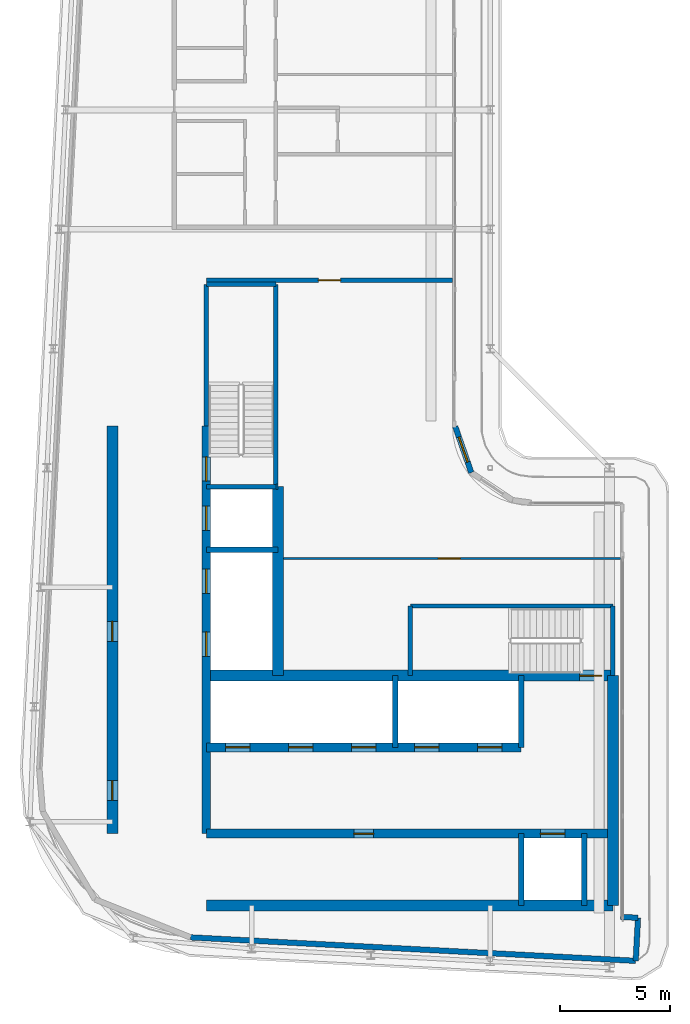
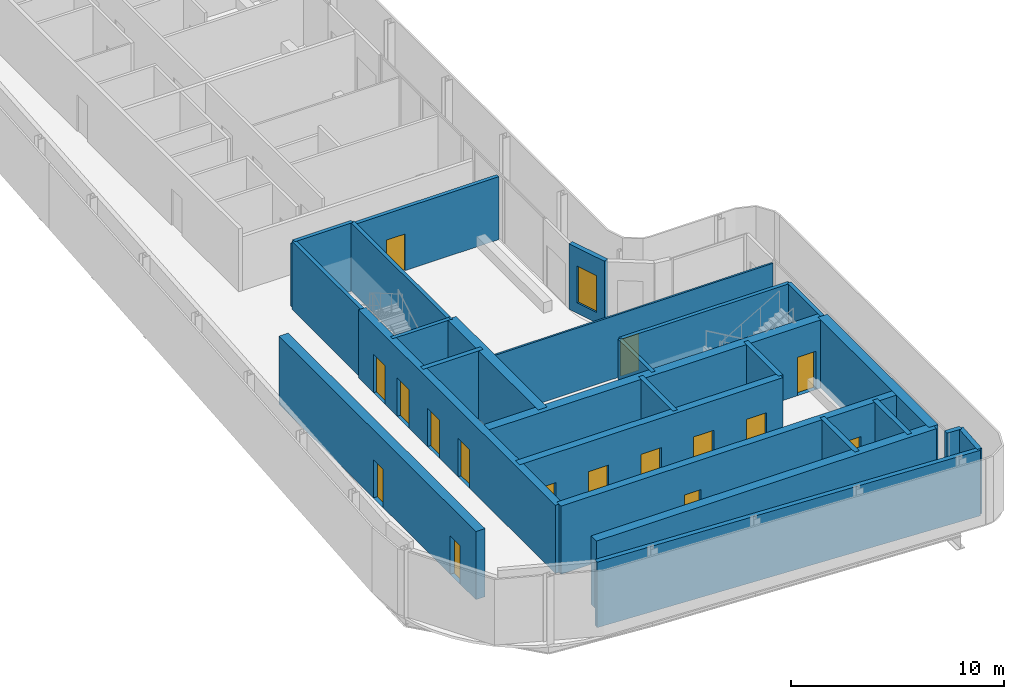
# One storey, part 9 of 18: 27 walls, 16 doors, 1 window, 17 openings.
"""IFC4 building model written with IfcOpenShell, lengths in metres."""

from ifc_helpers import new_model, si_unit, direction, frame, frame_2d, origin, place, context, subcontext, project, spatial, rectangle, extrude, source, transform, mapped, material, layer, layer_set, type_object, element, fill, save


model = new_model("IFC4")

# Units and contexts
model_context = context("Model", 3, precision=1e-05, world=origin(), true_north=direction((0.0, 1.0)))
body_context = subcontext(model_context, "Body", "Model", "MODEL_VIEW")
ifc_project = project(units=[si_unit("LENGTHUNIT", "METRE"), si_unit("AREAUNIT", "SQUARE_METRE"), si_unit("VOLUMEUNIT", "CUBIC_METRE"), si_unit("PLANEANGLEUNIT", "RADIAN"), si_unit("MASSUNIT", "GRAM", prefix="KILO")], contexts=[model_context])

# Site, building, storey
site_placement = place(None, origin())
site = spatial("IfcSite", under=ifc_project, at=site_placement, CompositionType="ELEMENT")
building_placement = place(site_placement, origin())
building = spatial("IfcBuilding", under=site, at=building_placement, Name="Kheshtan School and Residences Tower", CompositionType="ELEMENT")
storey_placement = place(building_placement, frame((0.0, 0.0, 373.39990234375)))
storey = spatial("IfcBuildingStorey", under=building, at=storey_placement, Name="L88", CompositionType="ELEMENT", Elevation=373.39990234375)

# Wall, openings, doors
ifc_material_1 = material(Name="Concrete C50/60", Category="concrete")
ifc_layer_1 = layer(ifc_material_1, 0.39990234375)
ifc_layer_set_1 = layer_set([ifc_layer_1], Name="Core wall 400 Concrete C50/60")
wall_type_1 = type_object("IfcWallType", Name="Core wall 400 Concrete C50/60", PredefinedType="SHEAR", material=ifc_layer_set_1)
wall_1_placement = place(storey_placement, frame((34.75, 29.050048828125, 0.0), z_axis=(0.0, 0.0, 1.0), x_axis=(1.0, 0.0, 0.0)))
wall_1 = element("IfcWall", 1, at=wall_1_placement, inside=storey, type_object=wall_type_1, Name="Core wall CW-HALL-S1", PredefinedType="SHEAR", context=body_context, shape_type="SweptSolid", body=[
    extrude(rectangle(XDim=18.39990234375, YDim=0.39990234375, at=frame_2d((9.199951171875, 0.0))), origin(), (0.0, 0.0, 1.0), 3.900146484375),
])
opening_1_placement = place(wall_1_placement, frame((15.125, 0.0, 0.0)))
opening_1 = element("IfcOpeningElement", 2, at=opening_1_placement, cuts=wall_1, Name="Opening LD", PredefinedType="OPENING", context=body_context, shape_type="SweptSolid", body=[
    extrude(rectangle(XDim=1.10009765625, YDim=2.199951171875, at=frame_2d((0.550048828125, 1.10009765625))), frame((0.0, 0.2099609375, 0.0), z_axis=(0.0, -1.0, 0.0), x_axis=(1.0, 0.0, 0.0)), (0.0, 0.0, 1.0), 0.419921875),
])
opening_2_placement = place(wall_1_placement, frame((6.675048828125, 0.0, 0.0)))
opening_2 = element("IfcOpeningElement", 3, at=opening_2_placement, cuts=wall_1, Name="Opening SR90", PredefinedType="OPENING", context=body_context, shape_type="SweptSolid", body=[
    extrude(rectangle(XDim=0.89990234375, YDim=2.199951171875, at=frame_2d((0.449951171875, 1.10009765625))), frame((0.0, 0.2099609375, 0.0), z_axis=(0.0, -1.0, 0.0), x_axis=(1.0, 0.0, 0.0)), (0.0, 0.0, 1.0), 0.419921875),
])
ifc_material_2 = material(Name="Stainless steel door leaves", Category="steel")
door_type_1 = type_object("IfcDoorType", Name="Lift landing door 1100", OperationType="SLIDING_TO_LEFT", PredefinedType="DOOR", material=ifc_material_2)
shared_shape_1 = source(origin(), body_context, "Body", "SweptSolid", [
    extrude(rectangle(XDim=1.10009765625, YDim=2.199951171875, at=frame_2d((0.550048828125, 1.10009765625))), frame((0.0, 0.02490234375, 0.0), z_axis=(0.0, -1.0, 0.0), x_axis=(1.0, 0.0, 0.0)), (0.0, 0.0, 1.0), 0.050048828125),
])
door_1_placement = place(opening_1_placement, origin())
door_1 = element("IfcDoor", 4, at=door_1_placement, inside=storey, type_object=door_type_1, Name="Lift FFL2 landing door", OperationType="SLIDING_TO_LEFT", OverallHeight=2.199951171875, OverallWidth=1.10009765625, PredefinedType="DOOR", context=body_context, shape_type="MappedRepresentation", body=[
    mapped(shared_shape_1, transform((0.0, 0.0, 0.0), x_axis=(1.0, 0.0, 0.0), y_axis=(0.0, 1.0, 0.0), z_axis=(0.0, 0.0, 1.0), scale=1.0)),
])
fill(opening_1, door_1)
ifc_material_3 = material(Name="Steel door leaf, galvanised", Category="steel")
door_type_2 = type_object("IfcDoorType", Name="Service room door 900 steel 90 min", OperationType="SINGLE_SWING_LEFT", PredefinedType="DOOR", material=ifc_material_3)
shared_shape_2 = source(origin(), body_context, "Body", "SweptSolid", [
    extrude(rectangle(XDim=0.89990234375, YDim=2.199951171875, at=frame_2d((0.449951171875, 1.10009765625))), frame((0.0, 0.02490234375, 0.0), z_axis=(0.0, -1.0, 0.0), x_axis=(1.0, 0.0, 0.0)), (0.0, 0.0, 1.0), 0.050048828125),
])
door_2_placement = place(opening_2_placement, origin())
door_2 = element("IfcDoor", 5, at=door_2_placement, inside=storey, type_object=door_type_2, Name="Service room door", OperationType="SINGLE_SWING_RIGHT", OverallHeight=2.199951171875, OverallWidth=0.89990234375, PredefinedType="DOOR", context=body_context, shape_type="MappedRepresentation", body=[
    mapped(shared_shape_2, transform((0.0, 0.0, 0.0), x_axis=(1.0, 0.0, 0.0), y_axis=(0.0, 1.0, 0.0), z_axis=(0.0, 0.0, 1.0), scale=1.0)),
])
fill(opening_2, door_2)

wall_2_placement = place(storey_placement, frame((34.75, 32.949951171875, 0.0), z_axis=(0.0, 0.0, 1.0), x_axis=(1.0, 0.0, 0.0)))
wall_2 = element("IfcWall", 6, at=wall_2_placement, inside=storey, type_object=wall_type_1, Name="Core wall CW-HALL-S2", PredefinedType="SHEAR", context=body_context, shape_type="SweptSolid", body=[
    extrude(rectangle(XDim=14.25, YDim=0.39990234375, at=frame_2d((7.125, 0.0))), origin(), (0.0, 0.0, 1.0), 3.900146484375),
])
opening_3_placement = place(wall_2_placement, frame((0.875, 0.0, 0.0)))
opening_3 = element("IfcOpeningElement", 7, at=opening_3_placement, cuts=wall_2, Name="Opening LD", PredefinedType="OPENING", context=body_context, shape_type="SweptSolid", body=[
    extrude(rectangle(XDim=1.10009765625, YDim=2.199951171875, at=frame_2d((0.550048828125, 1.10009765625))), frame((0.0, 0.2099609375, 0.0), z_axis=(0.0, -1.0, 0.0), x_axis=(1.0, 0.0, 0.0)), (0.0, 0.0, 1.0), 0.419921875),
])
opening_4_placement = place(wall_2_placement, frame((3.72509765625, 0.0, 0.0)))
opening_4 = element("IfcOpeningElement", 8, at=opening_4_placement, cuts=wall_2, Name="Opening LD", PredefinedType="OPENING", context=body_context, shape_type="SweptSolid", body=[
    extrude(rectangle(XDim=1.10009765625, YDim=2.199951171875, at=frame_2d((0.550048828125, 1.10009765625))), frame((0.0, 0.2099609375, 0.0), z_axis=(0.0, -1.0, 0.0), x_axis=(1.0, 0.0, 0.0)), (0.0, 0.0, 1.0), 0.419921875),
])
opening_5_placement = place(wall_2_placement, frame((6.574951171875, 0.0, 0.0)))
opening_5 = element("IfcOpeningElement", 9, at=opening_5_placement, cuts=wall_2, Name="Opening LD", PredefinedType="OPENING", context=body_context, shape_type="SweptSolid", body=[
    extrude(rectangle(XDim=1.10009765625, YDim=2.199951171875, at=frame_2d((0.550048828125, 1.10009765625))), frame((0.0, 0.2099609375, 0.0), z_axis=(0.0, -1.0, 0.0), x_axis=(1.0, 0.0, 0.0)), (0.0, 0.0, 1.0), 0.419921875),
])
opening_6_placement = place(wall_2_placement, frame((9.425048828125, 0.0, 0.0)))
opening_6 = element("IfcOpeningElement", 10, at=opening_6_placement, cuts=wall_2, Name="Opening LD", PredefinedType="OPENING", context=body_context, shape_type="SweptSolid", body=[
    extrude(rectangle(XDim=1.10009765625, YDim=2.199951171875, at=frame_2d((0.550048828125, 1.10009765625))), frame((0.0, 0.2099609375, 0.0), z_axis=(0.0, -1.0, 0.0), x_axis=(1.0, 0.0, 0.0)), (0.0, 0.0, 1.0), 0.419921875),
])
opening_7_placement = place(wall_2_placement, frame((12.27490234375, 0.0, 0.0)))
opening_7 = element("IfcOpeningElement", 11, at=opening_7_placement, cuts=wall_2, Name="Opening LD", PredefinedType="OPENING", context=body_context, shape_type="SweptSolid", body=[
    extrude(rectangle(XDim=1.10009765625, YDim=2.199951171875, at=frame_2d((0.550048828125, 1.10009765625))), frame((0.0, 0.2099609375, 0.0), z_axis=(0.0, -1.0, 0.0), x_axis=(1.0, 0.0, 0.0)), (0.0, 0.0, 1.0), 0.419921875),
])
door_3_placement = place(opening_3_placement, origin())
door_3 = element("IfcDoor", 12, at=door_3_placement, inside=storey, type_object=door_type_1, Name="Lift P12 landing door", OperationType="SLIDING_TO_LEFT", OverallHeight=2.199951171875, OverallWidth=1.10009765625, PredefinedType="DOOR", context=body_context, shape_type="MappedRepresentation", body=[
    mapped(shared_shape_1, transform((0.0, 0.0, 0.0), x_axis=(1.0, 0.0, 0.0), y_axis=(0.0, 1.0, 0.0), z_axis=(0.0, 0.0, 1.0), scale=1.0)),
])
fill(opening_3, door_3)
door_4_placement = place(opening_4_placement, origin())
door_4 = element("IfcDoor", 13, at=door_4_placement, inside=storey, type_object=door_type_1, Name="Lift P13 landing door", OperationType="SLIDING_TO_LEFT", OverallHeight=2.199951171875, OverallWidth=1.10009765625, PredefinedType="DOOR", context=body_context, shape_type="MappedRepresentation", body=[
    mapped(shared_shape_1, transform((0.0, 0.0, 0.0), x_axis=(1.0, 0.0, 0.0), y_axis=(0.0, 1.0, 0.0), z_axis=(0.0, 0.0, 1.0), scale=1.0)),
])
fill(opening_4, door_4)
door_5_placement = place(opening_5_placement, origin())
door_5 = element("IfcDoor", 14, at=door_5_placement, inside=storey, type_object=door_type_1, Name="Lift P14 landing door", OperationType="SLIDING_TO_LEFT", OverallHeight=2.199951171875, OverallWidth=1.10009765625, PredefinedType="DOOR", context=body_context, shape_type="MappedRepresentation", body=[
    mapped(shared_shape_1, transform((0.0, 0.0, 0.0), x_axis=(1.0, 0.0, 0.0), y_axis=(0.0, 1.0, 0.0), z_axis=(0.0, 0.0, 1.0), scale=1.0)),
])
fill(opening_5, door_5)
door_6_placement = place(opening_6_placement, origin())
door_6 = element("IfcDoor", 15, at=door_6_placement, inside=storey, type_object=door_type_1, Name="Lift P15 landing door", OperationType="SLIDING_TO_LEFT", OverallHeight=2.199951171875, OverallWidth=1.10009765625, PredefinedType="DOOR", context=body_context, shape_type="MappedRepresentation", body=[
    mapped(shared_shape_1, transform((0.0, 0.0, 0.0), x_axis=(1.0, 0.0, 0.0), y_axis=(0.0, 1.0, 0.0), z_axis=(0.0, 0.0, 1.0), scale=1.0)),
])
fill(opening_6, door_6)
door_7_placement = place(opening_7_placement, origin())
door_7 = element("IfcDoor", 16, at=door_7_placement, inside=storey, type_object=door_type_1, Name="Lift P16 landing door", OperationType="SLIDING_TO_LEFT", OverallHeight=2.199951171875, OverallWidth=1.10009765625, PredefinedType="DOOR", context=body_context, shape_type="MappedRepresentation", body=[
    mapped(shared_shape_1, transform((0.0, 0.0, 0.0), x_axis=(1.0, 0.0, 0.0), y_axis=(0.0, 1.0, 0.0), z_axis=(0.0, 0.0, 1.0), scale=1.0)),
])
fill(opening_7, door_7)

wall_3_placement = place(storey_placement, frame((34.75, 29.050048828125, 0.0), z_axis=(0.0, 0.0, 1.0), x_axis=(0.0, 1.0, 0.0)))
wall_3 = element("IfcWall", 17, at=wall_3_placement, inside=storey, type_object=wall_type_1, Name="Core wall CW-HALL-W1", PredefinedType="SHEAR", context=body_context, shape_type="SweptSolid", body=[
    extrude(rectangle(XDim=18.449951171875, YDim=0.39990234375, at=frame_2d((9.22509765625, 0.0))), origin(), (0.0, 0.0, 1.0), 3.900146484375),
])
opening_8_placement = place(wall_3_placement, frame((8.02490234375, 0.0, 0.0)))
opening_8 = element("IfcOpeningElement", 18, at=opening_8_placement, cuts=wall_3, Name="Opening LD", PredefinedType="OPENING", context=body_context, shape_type="SweptSolid", body=[
    extrude(rectangle(XDim=1.10009765625, YDim=2.199951171875, at=frame_2d((0.550048828125, 1.10009765625))), frame((0.0, 0.2099609375, 0.0), z_axis=(0.0, -1.0, 0.0), x_axis=(1.0, 0.0, 0.0)), (0.0, 0.0, 1.0), 0.419921875),
])
opening_9_placement = place(wall_3_placement, frame((10.875, 0.0, 0.0)))
opening_9 = element("IfcOpeningElement", 19, at=opening_9_placement, cuts=wall_3, Name="Opening LD", PredefinedType="OPENING", context=body_context, shape_type="SweptSolid", body=[
    extrude(rectangle(XDim=1.10009765625, YDim=2.199951171875, at=frame_2d((0.550048828125, 1.10009765625))), frame((0.0, 0.2099609375, 0.0), z_axis=(0.0, -1.0, 0.0), x_axis=(1.0, 0.0, 0.0)), (0.0, 0.0, 1.0), 0.419921875),
])
opening_10_placement = place(wall_3_placement, frame((13.72509765625, 0.0, 0.0)))
opening_10 = element("IfcOpeningElement", 20, at=opening_10_placement, cuts=wall_3, Name="Opening LD", PredefinedType="OPENING", context=body_context, shape_type="SweptSolid", body=[
    extrude(rectangle(XDim=1.10009765625, YDim=2.199951171875, at=frame_2d((0.550048828125, 1.10009765625))), frame((0.0, 0.2099609375, 0.0), z_axis=(0.0, -1.0, 0.0), x_axis=(1.0, 0.0, 0.0)), (0.0, 0.0, 1.0), 0.419921875),
])
opening_11_placement = place(wall_3_placement, frame((15.949951171875, 0.0, 0.0)))
opening_11 = element("IfcOpeningElement", 21, at=opening_11_placement, cuts=wall_3, Name="Opening ST2D", PredefinedType="OPENING", context=body_context, shape_type="SweptSolid", body=[
    extrude(rectangle(XDim=1.10009765625, YDim=2.199951171875, at=frame_2d((0.550048828125, 1.10009765625))), frame((0.0, 0.2099609375, 0.0), z_axis=(0.0, -1.0, 0.0), x_axis=(1.0, 0.0, 0.0)), (0.0, 0.0, 1.0), 0.419921875),
])
door_8_placement = place(opening_8_placement, origin())
door_8 = element("IfcDoor", 22, at=door_8_placement, inside=storey, type_object=door_type_1, Name="Lift SV1 landing door", OperationType="SLIDING_TO_LEFT", OverallHeight=2.199951171875, OverallWidth=1.10009765625, PredefinedType="DOOR", context=body_context, shape_type="MappedRepresentation", body=[
    mapped(shared_shape_1, transform((0.0, 0.0, 0.0), x_axis=(1.0, 0.0, 0.0), y_axis=(0.0, 1.0, 0.0), z_axis=(0.0, 0.0, 1.0), scale=1.0)),
])
fill(opening_8, door_8)
door_9_placement = place(opening_9_placement, origin())
door_9 = element("IfcDoor", 23, at=door_9_placement, inside=storey, type_object=door_type_1, Name="Lift SV2 landing door", OperationType="SLIDING_TO_LEFT", OverallHeight=2.199951171875, OverallWidth=1.10009765625, PredefinedType="DOOR", context=body_context, shape_type="MappedRepresentation", body=[
    mapped(shared_shape_1, transform((0.0, 0.0, 0.0), x_axis=(1.0, 0.0, 0.0), y_axis=(0.0, 1.0, 0.0), z_axis=(0.0, 0.0, 1.0), scale=1.0)),
])
fill(opening_9, door_9)
door_10_placement = place(opening_10_placement, origin())
door_10 = element("IfcDoor", 24, at=door_10_placement, inside=storey, type_object=door_type_1, Name="Lift FFL1 landing door", OperationType="SLIDING_TO_LEFT", OverallHeight=2.199951171875, OverallWidth=1.10009765625, PredefinedType="DOOR", context=body_context, shape_type="MappedRepresentation", body=[
    mapped(shared_shape_1, transform((0.0, 0.0, 0.0), x_axis=(1.0, 0.0, 0.0), y_axis=(0.0, 1.0, 0.0), z_axis=(0.0, 0.0, 1.0), scale=1.0)),
])
fill(opening_10, door_10)
door_type_3 = type_object("IfcDoorType", Name="Stair door 1100 steel 90 min", OperationType="SINGLE_SWING_LEFT", PredefinedType="DOOR", material=ifc_material_3)
shared_shape_3 = source(origin(), body_context, "Body", "SweptSolid", [
    extrude(rectangle(XDim=1.10009765625, YDim=2.199951171875, at=frame_2d((0.550048828125, 1.10009765625))), frame((0.0, 0.02490234375, 0.0), z_axis=(0.0, -1.0, 0.0), x_axis=(1.0, 0.0, 0.0)), (0.0, 0.0, 1.0), 0.050048828125),
])
door_11_placement = place(opening_11_placement, origin())
door_11 = element("IfcDoor", 25, at=door_11_placement, inside=storey, type_object=door_type_3, Name="Stair ST2 door", OperationType="SINGLE_SWING_RIGHT", OverallHeight=2.199951171875, OverallWidth=1.10009765625, PredefinedType="DOOR", context=body_context, shape_type="MappedRepresentation", body=[
    mapped(shared_shape_3, transform((0.0, 0.0, 0.0), x_axis=(1.0, 0.0, 0.0), y_axis=(0.0, 1.0, 0.0), z_axis=(0.0, 0.0, 1.0), scale=1.0)),
])
fill(opening_11, door_11)

# Wall
ifc_layer_2 = layer(ifc_material_1, 0.5)
ifc_layer_set_2 = layer_set([ifc_layer_2], Name="Core wall 500 Concrete C50/60")
wall_type_2 = type_object("IfcWallType", Name="Core wall 500 Concrete C50/60", PredefinedType="SHEAR", material=ifc_layer_set_2)
wall_4_placement = place(storey_placement, frame((34.75, 25.800048828125, 0.0), z_axis=(0.0, 0.0, 1.0), x_axis=(1.0, 0.0, 0.0)))
element("IfcWall", 26, at=wall_4_placement, inside=storey, type_object=wall_type_2, Name="Core wall CW-REAR-S", PredefinedType="SHEAR", context=body_context, shape_type="SweptSolid", body=[
    extrude(rectangle(XDim=18.39990234375, YDim=0.5, at=frame_2d((9.199951171875, 0.0))), origin(), (0.0, 0.0, 1.0), 3.900146484375),
])

# Wall, opening, door
wall_5_placement = place(storey_placement, frame((34.75, 36.199951171875, 0.0), z_axis=(0.0, 0.0, 1.0), x_axis=(1.0, 0.0, 0.0)))
wall_5 = element("IfcWall", 27, at=wall_5_placement, inside=storey, type_object=wall_type_2, Name="Core wall CW-FRONT-S", PredefinedType="SHEAR", context=body_context, shape_type="SweptSolid", body=[
    extrude(rectangle(XDim=18.39990234375, YDim=0.5, at=frame_2d((9.199951171875, 0.0))), origin(), (0.0, 0.0, 1.0), 3.900146484375),
])
opening_12_placement = place(wall_5_placement, frame((16.89990234375, 0.0, 0.0)))
opening_12 = element("IfcOpeningElement", 28, at=opening_12_placement, cuts=wall_5, Name="Opening ST1D", PredefinedType="OPENING", context=body_context, shape_type="SweptSolid", body=[
    extrude(rectangle(XDim=1.0, YDim=2.199951171875, at=frame_2d((0.5, 1.10009765625))), frame((0.0, 0.260009765625, 0.0), z_axis=(0.0, -1.0, 0.0), x_axis=(1.0, 0.0, 0.0)), (0.0, 0.0, 1.0), 0.52001953125),
])
shared_shape_4 = source(origin(), body_context, "Body", "SweptSolid", [
    extrude(rectangle(XDim=1.0, YDim=2.199951171875, at=frame_2d((0.5, 1.10009765625))), frame((0.0, 0.02490234375, 0.0), z_axis=(0.0, -1.0, 0.0), x_axis=(1.0, 0.0, 0.0)), (0.0, 0.0, 1.0), 0.050048828125),
])
door_12_placement = place(opening_12_placement, origin())
door_12 = element("IfcDoor", 29, at=door_12_placement, inside=storey, type_object=door_type_3, Name="Stair ST1 door", OperationType="SINGLE_SWING_RIGHT", OverallHeight=2.199951171875, OverallWidth=1.0, PredefinedType="DOOR", context=body_context, shape_type="MappedRepresentation", body=[
    mapped(shared_shape_4, transform((0.0, 0.0, 0.0), x_axis=(1.0, 0.0, 0.0), y_axis=(0.0, 1.0, 0.0), z_axis=(0.0, 0.0, 1.0), scale=1.0)),
])
fill(opening_12, door_12)

# Wall
wall_6_placement = place(storey_placement, frame((38.0, 36.199951171875, 0.0), z_axis=(0.0, 0.0, 1.0), x_axis=(0.0, 1.0, 0.0)))
element("IfcWall", 30, at=wall_6_placement, inside=storey, type_object=wall_type_2, Name="Core wall CW-FRONT-W", PredefinedType="SHEAR", context=body_context, shape_type="SweptSolid", body=[
    extrude(rectangle(XDim=8.550048828125, YDim=0.5, at=frame_2d((4.27490234375, 0.0))), origin(), (0.0, 0.0, 1.0), 3.900146484375),
])

# Wall, openings, doors
wall_7_placement = place(storey_placement, frame((30.5, 29.050048828125, 0.0), z_axis=(0.0, 0.0, 1.0), x_axis=(0.0, 1.0, 0.0)))
wall_7 = element("IfcWall", 31, at=wall_7_placement, inside=storey, type_object=wall_type_2, Name="Core wall CW-REAR-W", PredefinedType="SHEAR", context=body_context, shape_type="SweptSolid", body=[
    extrude(rectangle(XDim=18.449951171875, YDim=0.5, at=frame_2d((9.22509765625, 0.0))), origin(), (0.0, 0.0, 1.0), 3.900146484375),
])
opening_13_placement = place(wall_7_placement, frame((1.5, 0.0, 0.0)))
opening_13 = element("IfcOpeningElement", 32, at=opening_13_placement, cuts=wall_7, Name="Opening SR90", PredefinedType="OPENING", context=body_context, shape_type="SweptSolid", body=[
    extrude(rectangle(XDim=0.89990234375, YDim=2.199951171875, at=frame_2d((0.449951171875, 1.10009765625))), frame((0.0, 0.260009765625, 0.0), z_axis=(0.0, -1.0, 0.0), x_axis=(1.0, 0.0, 0.0)), (0.0, 0.0, 1.0), 0.52001953125),
])
opening_14_placement = place(wall_7_placement, frame((8.705078125, 0.0, 0.0)))
opening_14 = element("IfcOpeningElement", 33, at=opening_14_placement, cuts=wall_7, Name="Opening SR90", PredefinedType="OPENING", context=body_context, shape_type="SweptSolid", body=[
    extrude(rectangle(XDim=0.89990234375, YDim=2.199951171875, at=frame_2d((0.449951171875, 1.10009765625))), frame((0.0, 0.260009765625, 0.0), z_axis=(0.0, -1.0, 0.0), x_axis=(1.0, 0.0, 0.0)), (0.0, 0.0, 1.0), 0.52001953125),
])
door_13_placement = place(opening_13_placement, origin())
door_13 = element("IfcDoor", 34, at=door_13_placement, inside=storey, type_object=door_type_2, Name="Service room door", OperationType="SINGLE_SWING_LEFT", OverallHeight=2.199951171875, OverallWidth=0.89990234375, PredefinedType="DOOR", context=body_context, shape_type="MappedRepresentation", body=[
    mapped(shared_shape_2, transform((0.0, 0.0, 0.0), x_axis=(1.0, 0.0, 0.0), y_axis=(0.0, 1.0, 0.0), z_axis=(0.0, 0.0, 1.0), scale=1.0)),
])
fill(opening_13, door_13)
door_14_placement = place(opening_14_placement, origin())
door_14 = element("IfcDoor", 35, at=door_14_placement, inside=storey, type_object=door_type_2, Name="Service room door", OperationType="SINGLE_SWING_LEFT", OverallHeight=2.199951171875, OverallWidth=0.89990234375, PredefinedType="DOOR", context=body_context, shape_type="MappedRepresentation", body=[
    mapped(shared_shape_2, transform((0.0, 0.0, 0.0), x_axis=(1.0, 0.0, 0.0), y_axis=(0.0, 1.0, 0.0), z_axis=(0.0, 0.0, 1.0), scale=1.0)),
])
fill(opening_14, door_14)

# Wall
wall_8_placement = place(storey_placement, frame((53.14990234375, 25.800048828125, 0.0), z_axis=(0.0, 0.0, 1.0), x_axis=(0.0, 1.0, 0.0)))
element("IfcWall", 36, at=wall_8_placement, inside=storey, type_object=wall_type_2, Name="Core wall CW-EAST", PredefinedType="SHEAR", context=body_context, shape_type="SweptSolid", body=[
    extrude(rectangle(XDim=10.39990234375, YDim=0.5, at=frame_2d((5.199951171875, 0.0))), origin(), (0.0, 0.0, 1.0), 3.900146484375),
])

# Wall, opening, door
ifc_material_4 = material(Name="Gypsum board on steel studs with fire boards", Category="steel")
ifc_layer_3 = layer(ifc_material_4, 0.199951171875)
ifc_layer_set_3 = layer_set([ifc_layer_3], Name="Corridor wall 200")
wall_type_3 = type_object("IfcWallType", Name="Corridor wall 200", PredefinedType="PARTITIONING", material=ifc_layer_set_3)
wall_9_placement = place(storey_placement, frame((34.75, 54.10009765625, 0.0), z_axis=(0.0, 0.0, 1.0), x_axis=(1.0, 0.0, 0.0)))
wall_9 = element("IfcWall", 37, at=wall_9_placement, inside=storey, type_object=wall_type_3, Name="Partition L88-018", PredefinedType="PARTITIONING", context=body_context, shape_type="SweptSolid", body=[
    extrude(rectangle(XDim=11.14990234375, YDim=0.199951171875, at=frame_2d((5.574951171875, 0.0))), origin(), (0.0, 0.0, 1.0), 3.60009765625),
])
opening_15_placement = place(wall_9_placement, frame((5.074951171875, 0.0, 0.0)))
opening_15 = element("IfcOpeningElement", 38, at=opening_15_placement, cuts=wall_9, Name="Opening D87-030", PredefinedType="OPENING", context=body_context, shape_type="SweptSolid", body=[
    extrude(rectangle(XDim=1.0, YDim=2.10009765625, at=frame_2d((0.5, 1.050048828125))), frame((0.0, 0.10986328125, 0.0), z_axis=(0.0, -1.0, 0.0), x_axis=(1.0, 0.0, 0.0)), (0.0, 0.0, 1.0), 0.219970703125),
])
ifc_material_5 = material(Name="Steel-framed fire-resisting door leaf", Category="steel")
door_type_4 = type_object("IfcDoorType", Name="Fire door FD60 1000 x 2100", OperationType="SINGLE_SWING_LEFT", PredefinedType="DOOR", material=ifc_material_5)
shared_shape_5 = source(origin(), body_context, "Body", "SweptSolid", [
    extrude(rectangle(XDim=1.0, YDim=2.10009765625, at=frame_2d((0.5, 1.050048828125))), frame((0.0, 0.02490234375, 0.0), z_axis=(0.0, -1.0, 0.0), x_axis=(1.0, 0.0, 0.0)), (0.0, 0.0, 1.0), 0.050048828125),
])
door_15_placement = place(opening_15_placement, origin())
door_15 = element("IfcDoor", 39, at=door_15_placement, inside=storey, type_object=door_type_4, Name="Door D87-030", OperationType="SINGLE_SWING_RIGHT", OverallHeight=2.10009765625, OverallWidth=1.0, PredefinedType="DOOR", context=body_context, shape_type="MappedRepresentation", body=[
    mapped(shared_shape_5, transform((0.0, 0.0, 0.0), x_axis=(1.0, 0.0, 0.0), y_axis=(0.0, 1.0, 0.0), z_axis=(0.0, 0.0, 1.0), scale=1.0)),
])
fill(opening_15, door_15)

# Wall, opening, window
ifc_material_6 = material(Name="Concrete C40/50 with ceramic cladding and mineral wool insulation", Category="concrete")
ifc_layer_4 = layer(ifc_material_6, 0.25)
ifc_layer_set_4 = layer_set([ifc_layer_4], Name="External wall 250 ceramic clad")
wall_type_4 = type_object("IfcWallType", Name="External wall 250 ceramic clad", PredefinedType="SOLIDWALL", material=ifc_layer_set_4)
wall_10_placement = place(storey_placement, frame((46.01806640625, 47.470947265625, 0.0), z_axis=(0.0, 0.0, 1.0), x_axis=(0.328791208903, -0.944402637093, 0.0)))
wall_10 = element("IfcWall", 40, at=wall_10_placement, inside=storey, type_object=wall_type_4, Name="External wall L88 9", PredefinedType="SOLIDWALL", context=body_context, shape_type="SweptSolid", body=[
    extrude(rectangle(XDim=2.20458984375, YDim=0.25, at=frame_2d((1.102294921875, 0.0))), origin(), (0.0, 0.0, 1.0), 3.75),
])
opening_16_placement = place(wall_10_placement, frame((0.5029296875, 0.0, 0.60009765625)))
opening_16 = element("IfcOpeningElement", 41, at=opening_16_placement, cuts=wall_10, Name="Opening WN-E", PredefinedType="OPENING", context=body_context, shape_type="SweptSolid", body=[
    extrude(rectangle(XDim=1.199951171875, YDim=2.10009765625, at=frame_2d((0.60009765625, 1.050048828125))), frame((0.0, 0.135009765625, 0.0), z_axis=(0.0, -1.0, 0.0), x_axis=(1.0, 0.0, 0.0)), (0.0, 0.0, 1.0), 0.27001953125),
])
ifc_material_7 = material(Name="Clear low-e glass in thermally broken aluminium frame", Category="aluminium")
window_type = type_object("IfcWindowType", Name="Window WN-E", PartitioningType="SINGLE_PANEL", PredefinedType="WINDOW", material=ifc_material_7)
shared_shape_6 = source(origin(), body_context, "Body", "SweptSolid", [
    extrude(rectangle(XDim=1.199951171875, YDim=2.10009765625, at=frame_2d((0.60009765625, 1.050048828125))), frame((0.0, 0.030029296875, 0.0), z_axis=(0.0, -1.0, 0.0), x_axis=(1.0, 0.0, 0.0)), (0.0, 0.0, 1.0), 0.06005859375),
])
window_placement = place(opening_16_placement, origin())
window = element("IfcWindow", 42, at=window_placement, inside=storey, type_object=window_type, Name="Window L88 9", OverallHeight=2.10009765625, OverallWidth=1.199951171875, PartitioningType="SINGLE_PANEL", PredefinedType="WINDOW", context=body_context, shape_type="MappedRepresentation", body=[
    mapped(shared_shape_6, transform((0.0, 0.0, 0.0), x_axis=(1.0, 0.0, 0.0), y_axis=(0.0, 1.0, 0.0), z_axis=(0.0, 0.0, 1.0), scale=1.0)),
])
fill(opening_16, window)

# Walls
wall_11_placement = place(storey_placement, frame((53.507080078125, 25.281005859375, 0.0), z_axis=(0.0, 0.0, 1.0), x_axis=(0.998561284263, -0.053622398031, 0.0)))
element("IfcWall", 43, at=wall_11_placement, inside=storey, type_object=wall_type_4, Name="External wall L88 14", PredefinedType="SOLIDWALL", context=body_context, shape_type="SweptSolid", body=[
    extrude(rectangle(XDim=0.783203125, YDim=0.25, at=frame_2d((0.3916015625, 0.0))), origin(), (0.0, 0.0, 1.0), 3.75),
])
wall_12_placement = place(storey_placement, frame((54.2890625, 25.239013671875, 0.0), z_axis=(0.0, 0.0, 1.0), x_axis=(-0.052841433274, -0.998602915542, 0.0)))
element("IfcWall", 44, at=wall_12_placement, inside=storey, type_object=wall_type_4, Name="External wall L88 15", PredefinedType="SOLIDWALL", context=body_context, shape_type="SweptSolid", body=[
    extrude(rectangle(XDim=1.94970703125, YDim=0.25, at=frame_2d((0.974853515625, 0.0))), origin(), (0.0, 0.0, 1.0), 3.75),
])
wall_13_placement = place(storey_placement, frame((54.18603515625, 23.2919921875, 0.0), z_axis=(0.0, 0.0, 1.0), x_axis=(-0.998616090491, 0.052591860707, 0.0)))
element("IfcWall", 45, at=wall_13_placement, inside=storey, type_object=wall_type_4, Name="External wall L88 16", PredefinedType="SOLIDWALL", context=body_context, shape_type="SweptSolid", body=[
    extrude(rectangle(XDim=20.1748046875, YDim=0.25, at=frame_2d((10.08740234375, 0.0))), origin(), (0.0, 0.0, 1.0), 3.75),
])

# Wall, opening, door
ifc_material_8 = material(Name="Gypsum board on steel studs", Category="steel")
ifc_layer_5 = layer(ifc_material_8, 0.10009765625)
ifc_layer_set_5 = layer_set([ifc_layer_5], Name="Gypsum partition 100")
wall_type_5 = type_object("IfcWallType", Name="Gypsum partition 100", PredefinedType="PARTITIONING", material=ifc_layer_set_5)
wall_14_placement = place(storey_placement, frame((38.2490234375, 41.5, 0.0), z_axis=(0.0, 0.0, 1.0), x_axis=(1.0, 0.0, 0.0)))
wall_14 = element("IfcWall", 46, at=wall_14_placement, inside=storey, type_object=wall_type_5, Name="Partition L88-038", PredefinedType="PARTITIONING", context=body_context, shape_type="SweptSolid", body=[
    extrude(rectangle(XDim=15.2509765625, YDim=0.10009765625, at=frame_2d((7.62548828125, 0.0))), origin(), (0.0, 0.0, 1.0), 3.60009765625),
])
opening_17_placement = place(wall_14_placement, frame((7.0009765625, 0.0, 0.0)))
opening_17 = element("IfcOpeningElement", 47, at=opening_17_placement, cuts=wall_14, Name="Opening D87-029", PredefinedType="OPENING", context=body_context, shape_type="SweptSolid", body=[
    extrude(rectangle(XDim=1.0, YDim=2.10009765625, at=frame_2d((0.5, 1.050048828125))), frame((0.0, 0.06005859375, 0.0), z_axis=(0.0, -1.0, 0.0), x_axis=(1.0, 0.0, 0.0)), (0.0, 0.0, 1.0), 0.1201171875),
])
ifc_material_9 = material(Name="Veneered timber door leaf", Category="wood")
door_type_5 = type_object("IfcDoorType", Name="Door 1000 x 2100", OperationType="SINGLE_SWING_LEFT", PredefinedType="DOOR", material=ifc_material_9)
shared_shape_7 = source(origin(), body_context, "Body", "SweptSolid", [
    extrude(rectangle(XDim=1.0, YDim=2.10009765625, at=frame_2d((0.5, 1.050048828125))), frame((0.0, 0.02490234375, 0.0), z_axis=(0.0, -1.0, 0.0), x_axis=(1.0, 0.0, 0.0)), (0.0, 0.0, 1.0), 0.050048828125),
])
door_16_placement = place(opening_17_placement, origin())
door_16 = element("IfcDoor", 48, at=door_16_placement, inside=storey, type_object=door_type_5, Name="Door D87-029", OperationType="SINGLE_SWING_LEFT", OverallHeight=2.10009765625, OverallWidth=1.0, PredefinedType="DOOR", context=body_context, shape_type="MappedRepresentation", body=[
    mapped(shared_shape_7, transform((0.0, 0.0, 0.0), x_axis=(1.0, 0.0, 0.0), y_axis=(0.0, 1.0, 0.0), z_axis=(0.0, 0.0, 1.0), scale=1.0)),
])
fill(opening_17, door_16)

# Walls
ifc_material_10 = material(Name="Fire-board shaft wall system")
ifc_layer_6 = layer(ifc_material_10, 0.25)
ifc_layer_set_6 = layer_set([ifc_layer_6], Name="Shaft lining wall 250")
wall_type_6 = type_object("IfcWallType", Name="Shaft lining wall 250", PredefinedType="PARTITIONING", material=ifc_layer_set_6)
for number, where, z_axis, x_axis, name in (
    (49, (43.300048828125, 32.949951171875, 0.0), (0.0, 0.0, 1.0), (0.0, 1.0, 0.0), "Shaft lining wall"),
    (50, (49.0, 25.800048828125, 0.0), (0.0, 0.0, 1.0), (0.0, 1.0, 0.0), "Shaft lining wall"),
    (51, (49.0, 32.949951171875, 0.0), (0.0, 0.0, 1.0), (0.0, 1.0, 0.0), "Shaft lining wall"),
    (52, (51.85009765625, 25.800048828125, 0.0), (0.0, 0.0, 1.0), (0.0, 1.0, 0.0), "Shaft lining wall"),
    (53, (34.75, 41.89990234375, 0.0), (0.0, 0.0, 1.0), (1.0, 0.0, 0.0), "Shaft lining wall"),
):
    element("IfcWall", number, at=place(storey_placement, frame(where, z_axis=z_axis, x_axis=x_axis)), inside=storey, type_object=wall_type_6, Name=name, PredefinedType="PARTITIONING", context=body_context, shape_type="SweptSolid", body=[
        extrude(rectangle(XDim=3.25, YDim=0.25, at=frame_2d((1.625, 0.0))), origin(), (0.0, 0.0, 1.0), 3.900146484375),
    ])
wall_15_placement = place(storey_placement, frame((37.89990234375, 44.75, 0.0), z_axis=(0.0, 0.0, 1.0), x_axis=(1.0, 0.0, 0.0)))
element("IfcWall", 54, at=wall_15_placement, inside=storey, type_object=wall_type_6, Name="Shaft lining wall", PredefinedType="PARTITIONING", context=body_context, shape_type="SweptSolid", body=[
    extrude(rectangle(XDim=0.10009765625, YDim=0.25, at=frame_2d((0.050048828125, 0.0))), origin(), (0.0, 0.0, 1.0), 3.900146484375),
])
ifc_material_11 = material(Name="Concrete C40/50", Category="concrete")
ifc_layer_7 = layer(ifc_material_11, 0.199951171875)
ifc_layer_set_7 = layer_set([ifc_layer_7], Name="Stair enclosure wall 200 Concrete C40/50")
wall_type_7 = type_object("IfcWallType", Name="Stair enclosure wall 200 Concrete C40/50", PredefinedType="SHEAR", material=ifc_layer_set_7)
wall_16_placement = place(storey_placement, frame((43.989990234375, 39.35009765625, 0.0), z_axis=(0.0, 0.0, 1.0), x_axis=(1.0, 0.0, 0.0)))
element("IfcWall", 55, at=wall_16_placement, inside=storey, type_object=wall_type_7, Name="Stair enclosure wall ST1", PredefinedType="SHEAR", context=body_context, shape_type="SweptSolid", body=[
    extrude(rectangle(XDim=9.159912109375, YDim=0.199951171875, at=frame_2d((4.580078125, 0.0))), origin(), (0.0, 0.0, 1.0), 3.900146484375),
])
for number, where, z_axis, x_axis, name in (
    (56, (43.989990234375, 36.199951171875, 0.0), (0.0, 0.0, 1.0), (0.0, 1.0, 0.0), "Stair enclosure wall ST1"),
    (57, (53.14990234375, 36.199951171875, 0.0), (0.0, 0.0, 1.0), (0.0, 1.0, 0.0), "Stair enclosure wall ST1"),
):
    element("IfcWall", number, at=place(storey_placement, frame(where, z_axis=z_axis, x_axis=x_axis)), inside=storey, type_object=wall_type_7, Name=name, PredefinedType="SHEAR", context=body_context, shape_type="SweptSolid", body=[
        extrude(rectangle(XDim=3.150146484375, YDim=0.199951171875, at=frame_2d((1.5751953125, 0.0))), origin(), (0.0, 0.0, 1.0), 3.900146484375),
    ])
for number, where, z_axis, x_axis, name in (
    (58, (34.75, 44.75, 0.0), (0.0, 0.0, 1.0), (1.0, 0.0, 0.0), "Stair enclosure wall ST2"),
    (59, (34.75, 53.909912109375, 0.0), (0.0, 0.0, 1.0), (1.0, 0.0, 0.0), "Stair enclosure wall ST2"),
):
    element("IfcWall", number, at=place(storey_placement, frame(where, z_axis=z_axis, x_axis=x_axis)), inside=storey, type_object=wall_type_7, Name=name, PredefinedType="SHEAR", context=body_context, shape_type="SweptSolid", body=[
        extrude(rectangle(XDim=3.14990234375, YDim=0.199951171875, at=frame_2d((1.574951171875, 0.0))), origin(), (0.0, 0.0, 1.0), 3.900146484375),
    ])
wall_17_placement = place(storey_placement, frame((34.75, 47.5, 0.0), z_axis=(0.0, 0.0, 1.0), x_axis=(0.0, 1.0, 0.0)))
element("IfcWall", 60, at=wall_17_placement, inside=storey, type_object=wall_type_7, Name="Stair enclosure wall ST2", PredefinedType="SHEAR", context=body_context, shape_type="SweptSolid", body=[
    extrude(rectangle(XDim=6.409912109375, YDim=0.199951171875, at=frame_2d((3.205078125, 0.0))), origin(), (0.0, 0.0, 1.0), 3.900146484375),
])
wall_18_placement = place(storey_placement, frame((37.89990234375, 44.75, 0.0), z_axis=(0.0, 0.0, 1.0), x_axis=(0.0, 1.0, 0.0)))
element("IfcWall", 61, at=wall_18_placement, inside=storey, type_object=wall_type_7, Name="Stair enclosure wall ST2", PredefinedType="SHEAR", context=body_context, shape_type="SweptSolid", body=[
    extrude(rectangle(XDim=9.159912109375, YDim=0.199951171875, at=frame_2d((4.580078125, 0.0))), origin(), (0.0, 0.0, 1.0), 3.900146484375),
])

save(model, "model.ifc")
